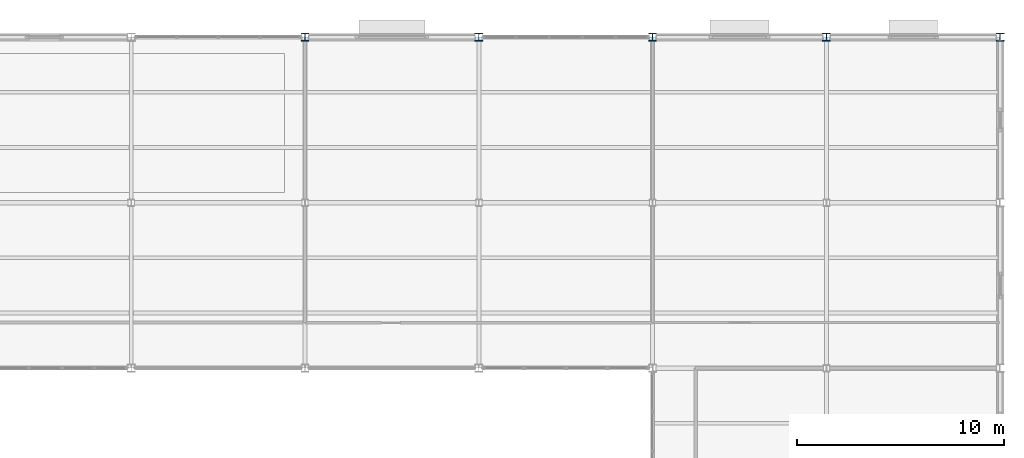
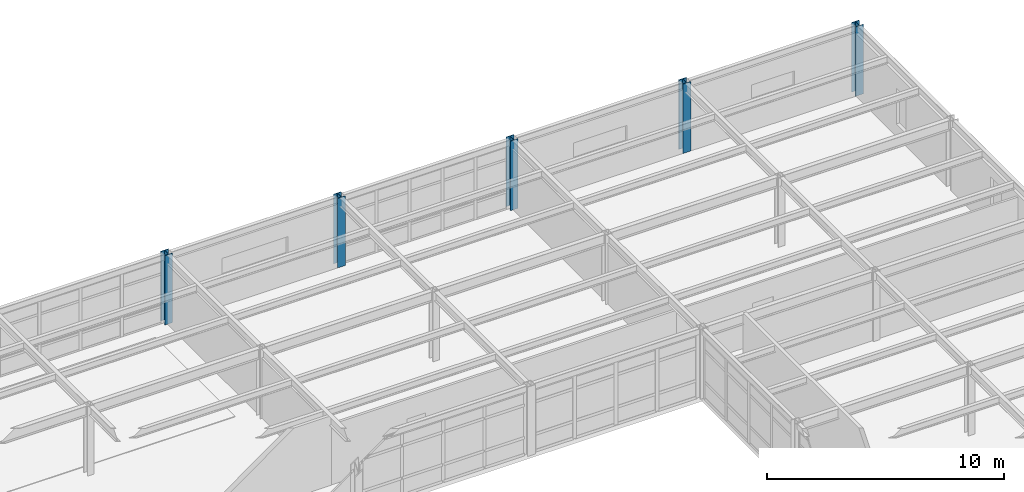
# One storey, part 9 of 96: 5 columns.
"""IFC4 building model written with IfcOpenShell, lengths in metres."""

from ifc_helpers import new_model, si_unit, direction, frame, origin, origin_2d, place, context, subcontext, project, spatial, i_section, extrude, material, material_profile, profile_set, type_object, element, save


model = new_model("IFC4")

# Units and contexts
model_context = context("Model", 3, precision=1e-05, world=origin(), true_north=direction((0.0, 1.0)))
body_context = subcontext(model_context, "Body", "Model", "MODEL_VIEW")
ifc_project = project(units=[si_unit("LENGTHUNIT", "METRE"), si_unit("AREAUNIT", "SQUARE_METRE"), si_unit("VOLUMEUNIT", "CUBIC_METRE"), si_unit("PLANEANGLEUNIT", "RADIAN"), si_unit("MASSUNIT", "GRAM", prefix="KILO")], contexts=[model_context])

# Site, building, storey
site_placement = place(None, origin())
site = spatial("IfcSite", under=ifc_project, at=site_placement, CompositionType="ELEMENT")
building_placement = place(site_placement, origin())
building = spatial("IfcBuilding", under=site, at=building_placement, Name="Kranzveld Transit Interchange", CompositionType="ELEMENT")
storey_placement = place(building_placement, frame((0.0, 0.0, 9.52001953125)))
storey = spatial("IfcBuildingStorey", under=building, at=storey_placement, Name="L02", CompositionType="ELEMENT", Elevation=9.52001953125)

# Columns
ifc_material = material(Name="Steel S355JR", Category="steel")
ifc_material_profile = material_profile(ifc_material, i_section(OverallWidth=0.374755859375, OverallDepth=0.37451171875, WebThickness=0.0166015625, FlangeThickness=0.027099609375, FilletRadius=0.01513671875, at=origin_2d()), Name="UC 356x368x202")
ifc_profile_set = profile_set([ifc_material_profile], Name="Steel S355JR")
column_type = type_object("IfcColumnType", Name="Column Steel UC 356x368x202 S355JR", PredefinedType="COLUMN", material=ifc_profile_set)
for number, where, z_axis, x_axis, name in (
    (1, (134.39990234375, 112.0, 0.0), (0.0, 0.0, 1.0), (1.0, 0.0, 0.0), "L02 Column 17/Q"),
    (2, (142.800048828125, 112.0, 0.0), (0.0, 0.0, 1.0), (1.0, 0.0, 0.0), "L02 Column 18/Q"),
    (3, (151.199951171875, 112.0, 0.0), (0.0, 0.0, 1.0), (1.0, 0.0, 0.0), "L02 Column 19/Q"),
    (4, (159.60009765625, 112.0, 0.0), (0.0, 0.0, 1.0), (1.0, 0.0, 0.0), "L02 Column 20/Q"),
    (5, (168.0, 112.0, 0.0), (0.0, 0.0, 1.0), (1.0, 0.0, 0.0), "L02 Column 21/Q"),
):
    element("IfcColumn", number, at=place(storey_placement, frame(where, z_axis=z_axis, x_axis=x_axis)), inside=storey, type_object=column_type, Name=name, PredefinedType="COLUMN", context=body_context, shape_type="SweptSolid", body=[
        extrude(i_section(OverallWidth=0.374755859375, OverallDepth=0.37451171875, WebThickness=0.0166015625, FlangeThickness=0.027099609375, FilletRadius=0.01513671875, at=origin_2d()), origin(), (0.0, 0.0, 1.0), 3.570068359375),
    ])

save(model, "model.ifc")
